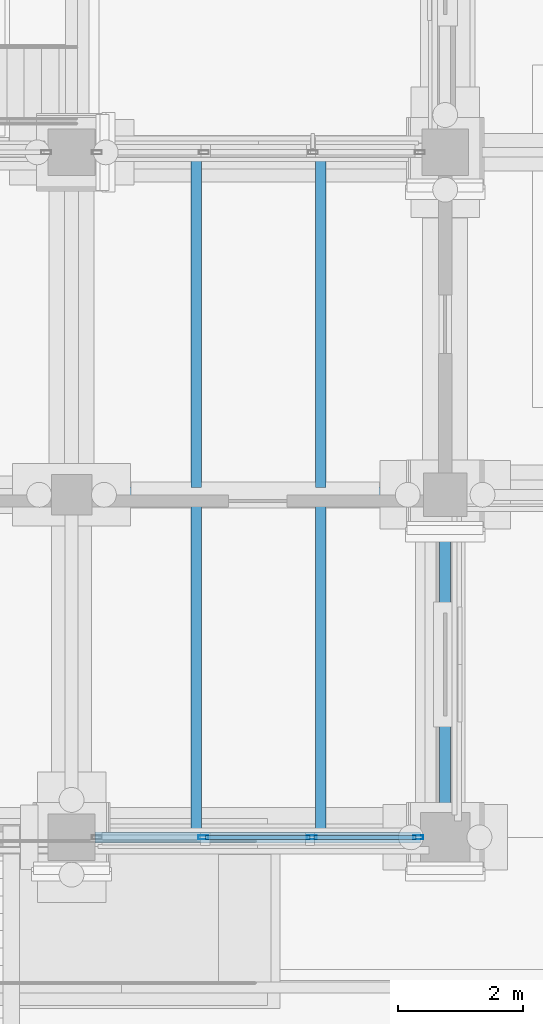
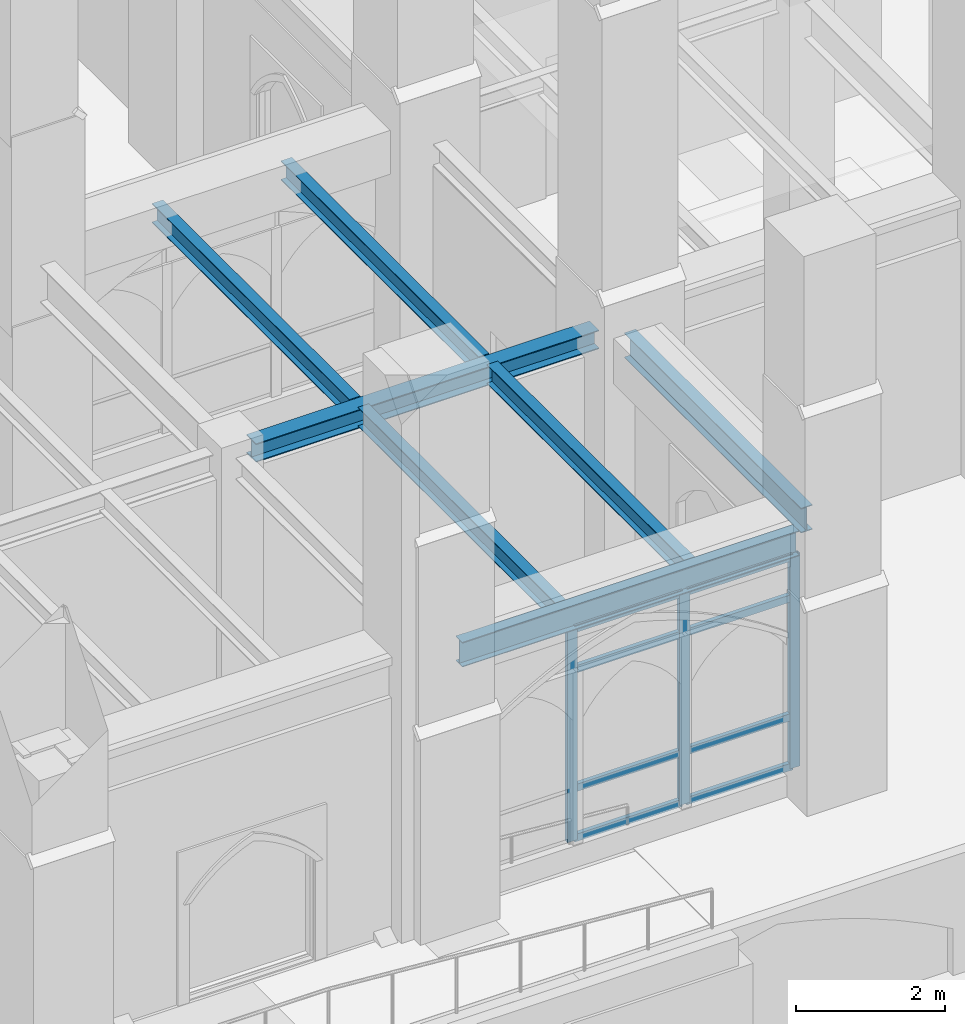
# One storey, part 43 of 135: 11 members, 7 beams, 1 element without a shape of its own.
"""IFC4 building model written with IfcOpenShell, lengths in metres."""

from ifc_helpers import new_model, si_unit, direction, frame, origin, origin_2d, place, context, subcontext, project, spatial, hollow_rectangle, i_section, extrude, material, layer, layer_set, material_profile, profile_set, type_object, element, aggregate, save


model = new_model("IFC4")

# Units and contexts
model_context = context("Model", 3, precision=1e-05, world=origin(), true_north=direction((0.0, 1.0)))
body_context = subcontext(model_context, "Body", "Model", "MODEL_VIEW")
ifc_project = project(units=[si_unit("LENGTHUNIT", "METRE"), si_unit("AREAUNIT", "SQUARE_METRE"), si_unit("VOLUMEUNIT", "CUBIC_METRE"), si_unit("PLANEANGLEUNIT", "RADIAN"), si_unit("MASSUNIT", "GRAM", prefix="KILO")], contexts=[model_context])

# Site, building, storey
site_placement = place(None, origin())
site = spatial("IfcSite", under=ifc_project, at=site_placement, CompositionType="ELEMENT")
building_placement = place(site_placement, origin())
building = spatial("IfcBuilding", under=site, at=building_placement, Name="Cumevento Cable Car Station", CompositionType="ELEMENT")
storey_placement = place(building_placement, origin())
storey = spatial("IfcBuildingStorey", under=building, at=storey_placement, Name="L01", CompositionType="ELEMENT", Elevation=0.0)

# Curtain wall, members
ifc_material_1 = material(Name="Anodised Bronze Aluminium AW-6063-T6", Category="aluminium")
ifc_layer = layer(ifc_material_1, 0.23193359375)
ifc_layer_set = layer_set([ifc_layer], Name="Anodised Bronze Aluminium AW-6063-T6")
curtain_wall_type = type_object("IfcCurtainWallType", Name="Lancet Curtain Wall CW-13 1530", PredefinedType="NOTDEFINED", material=ifc_layer_set)
curtain_wall_placement = place(storey_placement, origin())
curtain_wall = element("IfcCurtainWall", 1, at=curtain_wall_placement, inside=storey, type_object=curtain_wall_type, Name="Lancet Curtain Wall CW-13 L01 #12", PredefinedType="NOTDEFINED")
ifc_material_2 = material(Name="Anodised Bronze Aluminium AW-6063-T6", Category="aluminium")
ifc_material_profile_1 = material_profile(ifc_material_2, hollow_rectangle(XDim=0.06494140625, YDim=0.159912109375, WallThickness=0.00390625, at=origin_2d()), Name="ALUM65x160x4")
ifc_profile_set_1 = profile_set([ifc_material_profile_1], Name="Anodised Bronze Aluminium AW-6063-T6")
member_type_1 = type_object("IfcMemberType", Name="Curtain Mullion CWM-01 ALUM65x160x4", PredefinedType="MULLION", material=ifc_profile_set_1)
member_1_placement = place(storey_placement, frame((117.5673828125, 4.0, 0.360107421875), z_axis=(0.0, 0.0, 1.0), x_axis=(0.0, -1.0, 0.0)))
member_1 = element("IfcMember", 2, at=member_1_placement, type_object=member_type_1, Name="CW-13 mullion 1", PredefinedType="MULLION", context=body_context, shape_type="SweptSolid", body=[
    extrude(hollow_rectangle(XDim=0.06494140625, YDim=0.159912109375, WallThickness=0.00390625, at=origin_2d()), origin(), (0.0, 0.0, 1.0), 3.496826171875),
])
member_2_placement = place(storey_placement, frame((115.8583984375, 4.0, 0.360107421875), z_axis=(0.0, 0.0, 1.0), x_axis=(0.0, -1.0, 0.0)))
member_2 = element("IfcMember", 3, at=member_2_placement, type_object=member_type_1, Name="CW-13 mullion 2", PredefinedType="MULLION", context=body_context, shape_type="SweptSolid", body=[
    extrude(hollow_rectangle(XDim=0.06494140625, YDim=0.159912109375, WallThickness=0.00390625, at=origin_2d()), origin(), (0.0, 0.0, 1.0), 3.496826171875),
])
member_3_placement = place(storey_placement, frame((114.11669921875, 4.0, 0.360107421875), z_axis=(0.0, 0.0, 1.0), x_axis=(0.0, -1.0, 0.0)))
member_3 = element("IfcMember", 4, at=member_3_placement, type_object=member_type_1, Name="CW-13 mullion 3", PredefinedType="MULLION", context=body_context, shape_type="SweptSolid", body=[
    extrude(hollow_rectangle(XDim=0.06494140625, YDim=0.159912109375, WallThickness=0.00390625, at=origin_2d()), origin(), (0.0, 0.0, 1.0), 3.496826171875),
])
ifc_material_3 = material(Name="Anodised Bronze Aluminium AW-6063-T6", Category="aluminium")
ifc_material_profile_2 = material_profile(ifc_material_3, hollow_rectangle(XDim=0.06494140625, YDim=0.1201171875, WallThickness=0.00390625, at=origin_2d()), Name="ALUT65x120x4")
ifc_profile_set_2 = profile_set([ifc_material_profile_2], Name="Anodised Bronze Aluminium AW-6063-T6")
member_type_2 = type_object("IfcMemberType", Name="Curtain Transom CWT-01 ALUT65x120x4", PredefinedType="USERDEFINED", material=ifc_profile_set_2)
member_4_placement = place(storey_placement, frame((117.534912109375, 4.0, 0.392578125), z_axis=(-1.0, 0.0, 0.0), x_axis=(0.0, -1.0, 0.0)))
member_4 = element("IfcMember", 5, at=member_4_placement, type_object=member_type_2, Name="CW-13 transom 1.1", ObjectType="TRANSOM", PredefinedType="USERDEFINED", context=body_context, shape_type="SweptSolid", body=[
    extrude(hollow_rectangle(XDim=0.06494140625, YDim=0.1201171875, WallThickness=0.00390625, at=origin_2d()), origin(), (0.0, 0.0, 1.0), 1.64404296875),
])
member_5_placement = place(storey_placement, frame((117.534912109375, 4.0, 1.2099609375), z_axis=(-1.0, 0.0, 0.0), x_axis=(0.0, -1.0, 0.0)))
member_5 = element("IfcMember", 6, at=member_5_placement, type_object=member_type_2, Name="CW-13 transom 1.2", ObjectType="TRANSOM", PredefinedType="USERDEFINED", context=body_context, shape_type="SweptSolid", body=[
    extrude(hollow_rectangle(XDim=0.06494140625, YDim=0.1201171875, WallThickness=0.00390625, at=origin_2d()), origin(), (0.0, 0.0, 1.0), 1.64404296875),
])
member_6_placement = place(storey_placement, frame((117.534912109375, 4.0, 3.156982421875), z_axis=(-1.0, 0.0, 0.0), x_axis=(0.0, -1.0, 0.0)))
member_6 = element("IfcMember", 7, at=member_6_placement, type_object=member_type_2, Name="CW-13 transom 1.3", ObjectType="TRANSOM", PredefinedType="USERDEFINED", context=body_context, shape_type="SweptSolid", body=[
    extrude(hollow_rectangle(XDim=0.06494140625, YDim=0.1201171875, WallThickness=0.00390625, at=origin_2d()), origin(), (0.0, 0.0, 1.0), 1.64404296875),
])
member_7_placement = place(storey_placement, frame((117.534912109375, 4.0, 3.824462890625), z_axis=(-1.0, 0.0, 0.0), x_axis=(0.0, -1.0, 0.0)))
member_7 = element("IfcMember", 8, at=member_7_placement, type_object=member_type_2, Name="CW-13 transom 1.4", ObjectType="TRANSOM", PredefinedType="USERDEFINED", context=body_context, shape_type="SweptSolid", body=[
    extrude(hollow_rectangle(XDim=0.06494140625, YDim=0.1201171875, WallThickness=0.00390625, at=origin_2d()), origin(), (0.0, 0.0, 1.0), 1.64404296875),
])
member_8_placement = place(storey_placement, frame((115.825927734375, 4.0, 0.392578125), z_axis=(-1.0, 0.0, 0.0), x_axis=(0.0, -1.0, 0.0)))
member_8 = element("IfcMember", 9, at=member_8_placement, type_object=member_type_2, Name="CW-13 transom 2.1", ObjectType="TRANSOM", PredefinedType="USERDEFINED", context=body_context, shape_type="SweptSolid", body=[
    extrude(hollow_rectangle(XDim=0.06494140625, YDim=0.1201171875, WallThickness=0.00390625, at=origin_2d()), origin(), (0.0, 0.0, 1.0), 1.6767578125),
])
member_9_placement = place(storey_placement, frame((115.825927734375, 4.0, 1.2099609375), z_axis=(-1.0, 0.0, 0.0), x_axis=(0.0, -1.0, 0.0)))
member_9 = element("IfcMember", 10, at=member_9_placement, type_object=member_type_2, Name="CW-13 transom 2.2", ObjectType="TRANSOM", PredefinedType="USERDEFINED", context=body_context, shape_type="SweptSolid", body=[
    extrude(hollow_rectangle(XDim=0.06494140625, YDim=0.1201171875, WallThickness=0.00390625, at=origin_2d()), origin(), (0.0, 0.0, 1.0), 1.6767578125),
])
member_10_placement = place(storey_placement, frame((115.825927734375, 4.0, 3.156982421875), z_axis=(-1.0, 0.0, 0.0), x_axis=(0.0, -1.0, 0.0)))
member_10 = element("IfcMember", 11, at=member_10_placement, type_object=member_type_2, Name="CW-13 transom 2.3", ObjectType="TRANSOM", PredefinedType="USERDEFINED", context=body_context, shape_type="SweptSolid", body=[
    extrude(hollow_rectangle(XDim=0.06494140625, YDim=0.1201171875, WallThickness=0.00390625, at=origin_2d()), origin(), (0.0, 0.0, 1.0), 1.6767578125),
])
member_11_placement = place(storey_placement, frame((115.825927734375, 4.0, 3.824462890625), z_axis=(-1.0, 0.0, 0.0), x_axis=(0.0, -1.0, 0.0)))
member_11 = element("IfcMember", 12, at=member_11_placement, type_object=member_type_2, Name="CW-13 transom 2.4", ObjectType="TRANSOM", PredefinedType="USERDEFINED", context=body_context, shape_type="SweptSolid", body=[
    extrude(hollow_rectangle(XDim=0.06494140625, YDim=0.1201171875, WallThickness=0.00390625, at=origin_2d()), origin(), (0.0, 0.0, 1.0), 1.6767578125),
])
aggregate(curtain_wall, [member_1, member_2, member_3, member_4, member_5, member_6, member_7, member_8, member_9, member_10, member_11])

# Beams
ifc_material_4 = material(Name="Steel ASTM A572 Grade 50", Category="steel")
ifc_material_profile_3 = material_profile(ifc_material_4, i_section(OverallWidth=0.25390625, OverallDepth=0.305908203125, WebThickness=0.0087890625, FlangeThickness=0.0146484375, at=origin_2d()), Name="W310x79.0")
ifc_profile_set_3 = profile_set([ifc_material_profile_3], Name="Steel ASTM A572 Grade 50")
beam_type_1 = type_object("IfcBeamType", Name="Structural Beam BM-06 W310x79.0", PredefinedType="BEAM", material=ifc_profile_set_3)
beam_1_placement = place(storey_placement, frame((112.324951171875, 9.5, 4.074951171875), z_axis=(1.0, 0.0, 0.0), x_axis=(0.0, 1.0, 0.0)))
element("IfcBeam", 13, at=beam_1_placement, inside=storey, type_object=beam_type_1, Name="Beam BM-06 L01 #43", PredefinedType="BEAM", context=body_context, shape_type="SweptSolid", body=[
    extrude(i_section(OverallWidth=0.25390625, OverallDepth=0.305908203125, WebThickness=0.0087890625, FlangeThickness=0.0146484375, at=origin_2d()), origin(), (0.0, 0.0, 1.0), 5.324951171875),
])
ifc_material_5 = material(Name="Steel ASTM A572 Grade 50", Category="steel")
ifc_material_profile_4 = material_profile(ifc_material_5, i_section(OverallWidth=0.1669921875, OverallDepth=0.31689453125, WebThickness=0.007568359375, FlangeThickness=0.01318359375, at=origin_2d()), Name="W310x52.0")
ifc_profile_set_4 = profile_set([ifc_material_profile_4], Name="Steel ASTM A572 Grade 50")
beam_type_2 = type_object("IfcBeamType", Name="Structural Joist JS-02 W310x52.0", PredefinedType="JOIST", material=ifc_profile_set_4)
for number, where, z_axis, x_axis, name in (
    (14, (114.0, 4.076904296875, 4.10546875), (0.0, 1.0, 0.0), (-1.0, 0.0, 0.0), "Composite Floor Joist JS-02 L01 #331"),
    (15, (114.0, 9.614990234375, 4.091552734375), (0.0, 1.0, 0.0), (-1.0, 0.0, 0.0), "Composite Floor Joist JS-02 L01 #332"),
    (16, (116.0, 4.076904296875, 4.10546875), (0.0, 1.0, 0.0), (-1.0, 0.0, 0.0), "Composite Floor Joist JS-02 L01 #333"),
    (17, (116.0, 9.614990234375, 4.091552734375), (0.0, 1.0, 0.0), (-1.0, 0.0, 0.0), "Composite Floor Joist JS-02 L01 #334"),
):
    element("IfcBeam", number, at=place(storey_placement, frame(where, z_axis=z_axis, x_axis=x_axis)), inside=storey, type_object=beam_type_2, Name=name, PredefinedType="JOIST", context=body_context, shape_type="SweptSolid", body=[
        extrude(i_section(OverallWidth=0.1669921875, OverallDepth=0.31689453125, WebThickness=0.007568359375, FlangeThickness=0.01318359375, at=origin_2d()), origin(), (0.0, 0.0, 1.0), 5.30810546875),
    ])
ifc_material_6 = material(Name="Steel ASTM A572 Grade 50", Category="steel")
ifc_material_profile_5 = material_profile(ifc_material_6, i_section(OverallWidth=0.177978515625, OverallDepth=0.406982421875, WebThickness=0.0078125, FlangeThickness=0.0126953125, at=origin_2d()), Name="W410x60.0")
ifc_profile_set_5 = profile_set([ifc_material_profile_5], Name="Steel ASTM A572 Grade 50")
beam_type_3 = type_object("IfcBeamType", Name="Structural Spandrel SP-01 W410x60.0", PredefinedType="SPANDREL", material=ifc_profile_set_5)
beam_2_placement = place(storey_placement, frame((112.375, 4.0, 4.060546875), z_axis=(1.0, 0.0, 0.0), x_axis=(0.0, 1.0, 0.0)))
element("IfcBeam", 18, at=beam_2_placement, inside=storey, type_object=beam_type_3, Name="Beam SP-01 L01 #41", PredefinedType="SPANDREL", context=body_context, shape_type="SweptSolid", body=[
    extrude(i_section(OverallWidth=0.177978515625, OverallDepth=0.406982421875, WebThickness=0.0078125, FlangeThickness=0.0126953125, at=origin_2d()), origin(), (0.0, 0.0, 1.0), 5.22509765625),
])
beam_3_placement = place(storey_placement, frame((118.0, 4.39990234375, 4.0244140625), z_axis=(0.0, 1.0, 0.0), x_axis=(-1.0, 0.0, 0.0)))
element("IfcBeam", 19, at=beam_3_placement, inside=storey, type_object=beam_type_3, Name="Beam SP-01 L01 #50", PredefinedType="SPANDREL", context=body_context, shape_type="SweptSolid", body=[
    extrude(i_section(OverallWidth=0.177978515625, OverallDepth=0.406982421875, WebThickness=0.0078125, FlangeThickness=0.0126953125, at=origin_2d()), origin(), (0.0, 0.0, 1.0), 4.75),
])

save(model, "model.ifc")
